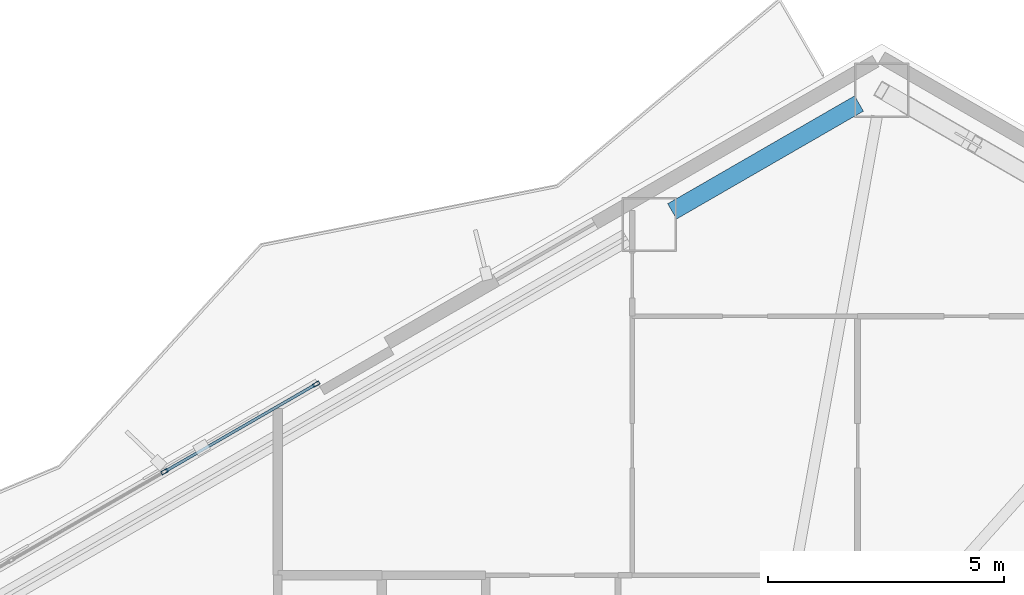
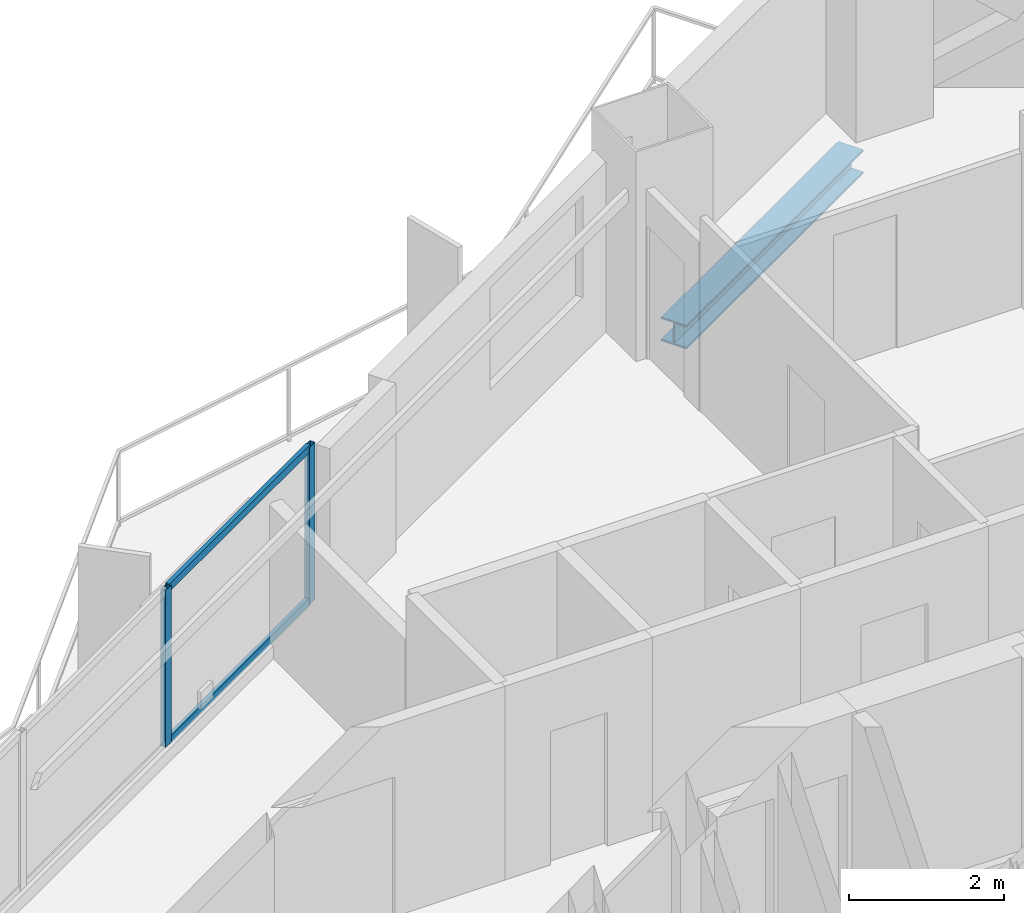
# One storey, part 13 of 22: 4 members, 1 beam, 1 element without a shape of its own.
"""IFC4 building model written with IfcOpenShell, lengths in metres."""

from ifc_helpers import new_model, si_unit, direction, frame, origin, origin_2d, place, context, subcontext, project, spatial, hollow_rectangle, i_section, extrude, material, layer, layer_set, material_profile, profile_set, type_object, element, aggregate, save


model = new_model("IFC4")

# Units and contexts
model_context = context("Model", 3, precision=1e-05, world=origin(), true_north=direction((0.0, 1.0)))
body_context = subcontext(model_context, "Body", "Model", "MODEL_VIEW")
ifc_project = project(units=[si_unit("LENGTHUNIT", "METRE"), si_unit("AREAUNIT", "SQUARE_METRE"), si_unit("VOLUMEUNIT", "CUBIC_METRE"), si_unit("PLANEANGLEUNIT", "RADIAN"), si_unit("MASSUNIT", "GRAM", prefix="KILO")], contexts=[model_context])

# Site, building, storey
site_placement = place(None, origin())
site = spatial("IfcSite", under=ifc_project, at=site_placement, CompositionType="ELEMENT")
building_placement = place(site_placement, origin())
building = spatial("IfcBuilding", under=site, at=building_placement, Name="Mersakhor Tower and Convention Hall", CompositionType="ELEMENT")
storey_placement = place(building_placement, frame((0.0, 0.0, 83.39990234375)))
storey = spatial("IfcBuildingStorey", under=building, at=storey_placement, Name="L22", CompositionType="ELEMENT", Elevation=83.39990234375)

# Beam
ifc_material_1 = material(Name="Steel S355", Category="steel")
ifc_material_profile_1 = material_profile(ifc_material_1, i_section(OverallWidth=0.374755859375, OverallDepth=0.37451171875, WebThickness=0.0166015625, FlangeThickness=0.027099609375, at=origin_2d()), Name="UC 356x368x202")
ifc_profile_set_1 = profile_set([ifc_material_profile_1], Name="Steel S355")
beam_type = type_object("IfcBeamType", Name="BM-SPD-UC356", PredefinedType="SPANDREL", material=ifc_profile_set_1)
beam_placement = place(storey_placement, frame((34.343505859375, 45.34814453125, -0.437255859375), z_axis=(0.866046694585, 0.499963121439, 0.0), x_axis=(-0.499963121439, 0.866046694585, 0.0)))
element("IfcBeam", 1, at=beam_placement, inside=storey, type_object=beam_type, Name="L22 Perimeter Spandrel Beam SPB-03", PredefinedType="SPANDREL", context=body_context, shape_type="SweptSolid", body=[
    extrude(i_section(OverallWidth=0.374755859375, OverallDepth=0.37451171875, WebThickness=0.0166015625, FlangeThickness=0.027099609375, at=origin_2d()), origin(), (0.0, 0.0, 1.0), 4.566162109375),
])

# Curtain wall, members
ifc_material_2 = material(Name="Dark solar low-E aluminium curtain wall", Category="aluminium")
ifc_layer = layer(ifc_material_2, 0.159912109375)
ifc_layer_set = layer_set([ifc_layer], Name="Dark solar low-E aluminium curtain wall")
curtain_wall_type = type_object("IfcCurtainWallType", Name="CW-SYS-01", PredefinedType="USERDEFINED", material=ifc_layer_set)
curtain_wall_placement = place(storey_placement, origin())
curtain_wall = element("IfcCurtainWall", 2, at=curtain_wall_placement, inside=storey, type_object=curtain_wall_type, Name="L22 Dark-Glass Curtain Wall F1-B2", ObjectType="CURTAIN WALL", PredefinedType="USERDEFINED")
ifc_material_3 = material(Name="Anodised aluminium EN AW-6063 T6", Category="aluminium")
ifc_material_profile_2 = material_profile(ifc_material_3, hollow_rectangle(XDim=0.074951171875, YDim=0.14990234375, WallThickness=0.00634765625, at=origin_2d()), Name="RHS 150x75x6.3")
ifc_profile_set_2 = profile_set([ifc_material_profile_2], Name="Anodised aluminium EN AW-6063 T6")
member_type_1 = type_object("IfcMemberType", Name="CWM-150x75", PredefinedType="MULLION", material=ifc_profile_set_2)
member_1_placement = place(storey_placement, frame((23.603515625, 39.840087890625, 0.2001953125), z_axis=(0.0, 0.0, 1.0), x_axis=(-0.499997904985, 0.866026613339, 0.0)))
member_1 = element("IfcMember", 3, at=member_1_placement, type_object=member_type_1, Name="CW-01 mullion 3", PredefinedType="MULLION", context=body_context, shape_type="SweptSolid", body=[
    extrude(hollow_rectangle(XDim=0.074951171875, YDim=0.14990234375, WallThickness=0.00634765625, at=origin_2d()), origin(), (0.0, 0.0, 1.0), 2.469970703125),
])
member_2_placement = place(storey_placement, frame((26.812744140625, 41.69287109375, 0.2001953125), z_axis=(0.0, 0.0, 1.0), x_axis=(-0.499997904985, 0.866026613339, 0.0)))
member_2 = element("IfcMember", 4, at=member_2_placement, type_object=member_type_1, Name="CW-01 mullion 4", PredefinedType="MULLION", context=body_context, shape_type="SweptSolid", body=[
    extrude(hollow_rectangle(XDim=0.074951171875, YDim=0.14990234375, WallThickness=0.00634765625, at=origin_2d()), origin(), (0.0, 0.0, 1.0), 2.469970703125),
])
ifc_material_4 = material(Name="Anodised aluminium EN AW-6063 T6", Category="aluminium")
ifc_material_profile_3 = material_profile(ifc_material_4, hollow_rectangle(XDim=0.06005859375, YDim=0.1201171875, WallThickness=0.0048828125, at=origin_2d()), Name="RHS 120x60x5")
ifc_profile_set_3 = profile_set([ifc_material_profile_3], Name="Anodised aluminium EN AW-6063 T6")
member_type_2 = type_object("IfcMemberType", Name="CWT-120x60", PredefinedType="USERDEFINED", material=ifc_profile_set_3)
member_3_placement = place(storey_placement, frame((23.635986328125, 39.85888671875, 0.22998046875), z_axis=(0.866016497289, 0.500015426185, 0.0), x_axis=(-0.500015426185, 0.866016497289, 0.0)))
member_3 = element("IfcMember", 5, at=member_3_placement, type_object=member_type_2, Name="CW-01 transom 3.1", ObjectType="TRANSOM", PredefinedType="USERDEFINED", context=body_context, shape_type="SweptSolid", body=[
    extrude(hollow_rectangle(XDim=0.06005859375, YDim=0.1201171875, WallThickness=0.0048828125, at=origin_2d()), origin(), (0.0, 0.0, 1.0), 3.630859375),
])
member_4_placement = place(storey_placement, frame((23.635986328125, 39.85888671875, 2.64013671875), z_axis=(0.866016497289, 0.500015426185, 0.0), x_axis=(-0.500015426185, 0.866016497289, 0.0)))
member_4 = element("IfcMember", 6, at=member_4_placement, type_object=member_type_2, Name="CW-01 transom 3.2", ObjectType="TRANSOM", PredefinedType="USERDEFINED", context=body_context, shape_type="SweptSolid", body=[
    extrude(hollow_rectangle(XDim=0.06005859375, YDim=0.1201171875, WallThickness=0.0048828125, at=origin_2d()), origin(), (0.0, 0.0, 1.0), 3.630859375),
])
aggregate(curtain_wall, [member_1, member_2, member_3, member_4])

save(model, "model.ifc")
